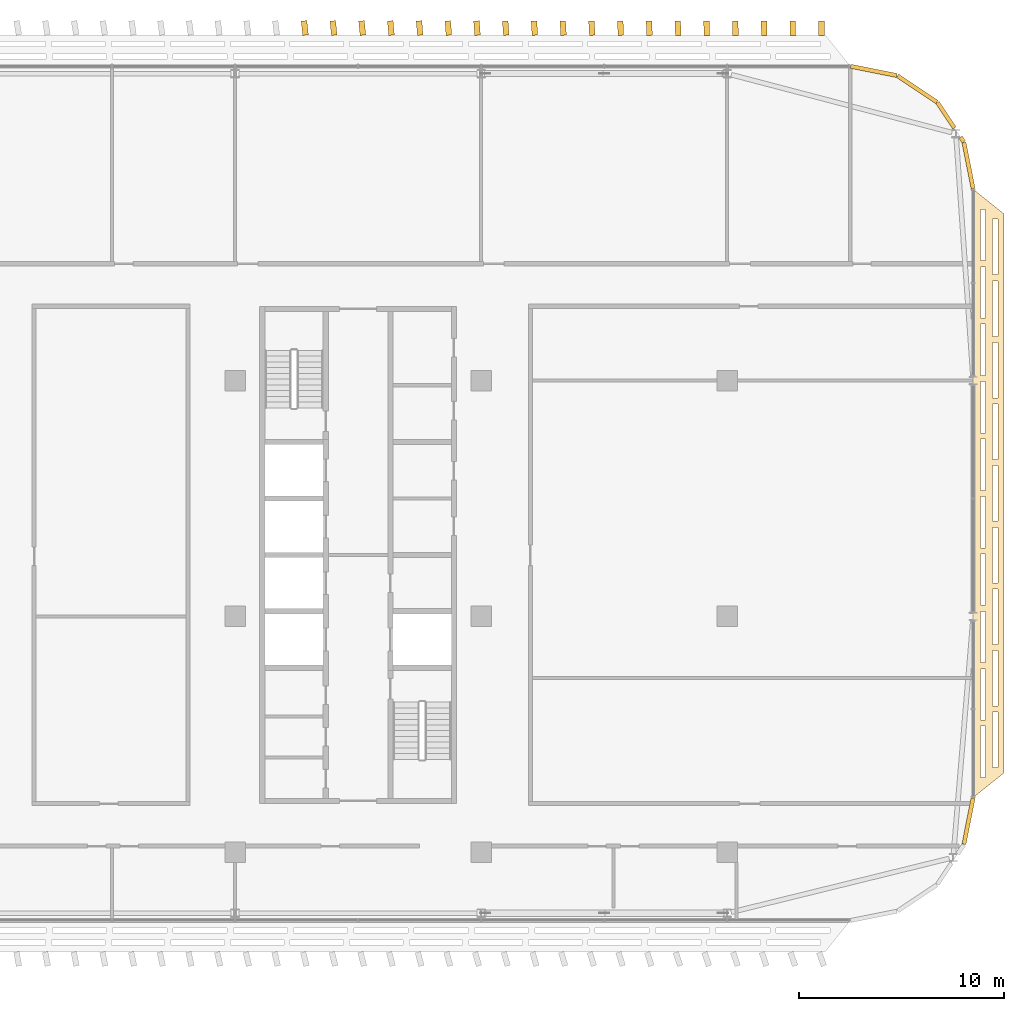
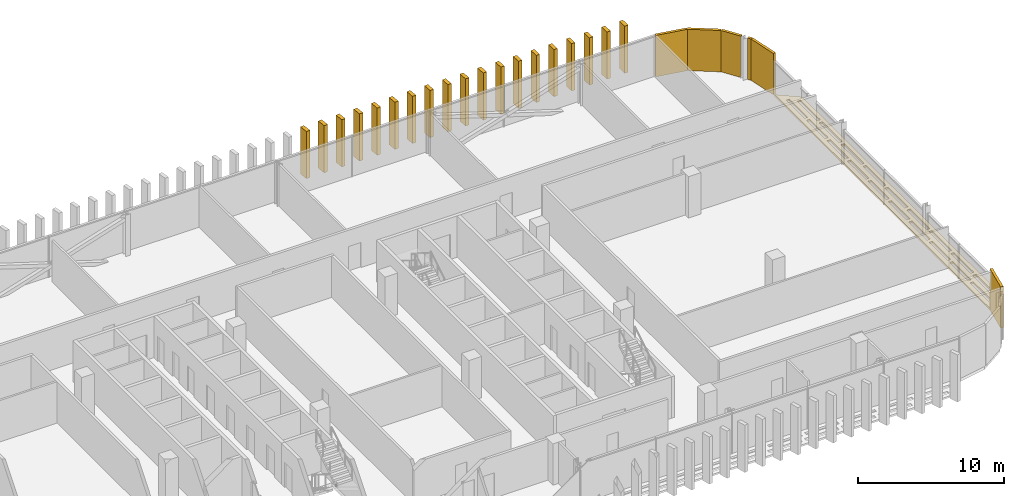
# One storey, part 35 of 35: 26 coverings.
"""IFC4 building model written with IfcOpenShell, lengths in metres."""

from ifc_helpers import new_model, si_unit, direction, frame, origin, origin_2d, place, context, subcontext, project, spatial, polyline, rectangle, outline, extrude, material, layer, layer_set, type_object, element, save


model = new_model("IFC4")

# Units and contexts
model_context = context("Model", 3, precision=1e-05, world=origin(), true_north=direction((0.0, 1.0)))
body_context = subcontext(model_context, "Body", "Model", "MODEL_VIEW")
ifc_project = project(units=[si_unit("LENGTHUNIT", "METRE"), si_unit("AREAUNIT", "SQUARE_METRE"), si_unit("VOLUMEUNIT", "CUBIC_METRE"), si_unit("PLANEANGLEUNIT", "RADIAN"), si_unit("MASSUNIT", "GRAM", prefix="KILO")], contexts=[model_context])

# Site, building, storey
site_placement = place(None, origin())
site = spatial("IfcSite", under=ifc_project, at=site_placement, CompositionType="ELEMENT")
building_placement = place(site_placement, origin())
building = spatial("IfcBuilding", under=site, at=building_placement, Name="Mahtab Terrace Research Tower", CompositionType="ELEMENT")
storey_placement = place(building_placement, frame((0.0, 0.0, 251.39990234375)))
storey = spatial("IfcBuildingStorey", under=building, at=storey_placement, Name="L61", CompositionType="ELEMENT", Elevation=251.39990234375)

# Coverings
ifc_material_1 = material(Name="Black aluminium cladding panel", Category="aluminium")
ifc_layer_1 = layer(ifc_material_1, 0.199951171875)
ifc_layer_set_1 = layer_set([ifc_layer_1], Name="Black metal corner cladding 200")
covering_type_1 = type_object("IfcCoveringType", Name="Black metal corner cladding 200", PredefinedType="CLADDING", material=ifc_layer_set_1)
covering_1_placement = place(storey_placement, frame((53.45849609375, 23.256591796875, 0.0), z_axis=(0.0, 0.0, 1.0), x_axis=(-0.555291490808, 0.831655794326, 0.0)))
element("IfcCovering", 1, at=covering_1_placement, inside=storey, type_object=covering_type_1, Name="Corner cladding L61 0", PredefinedType="CLADDING", context=body_context, shape_type="SweptSolid", body=[
    extrude(rectangle(XDim=0.2841796875, YDim=0.199951171875, at=origin_2d()), origin(), (0.0, 0.0, 1.0), 3.4599609375),
])
covering_2_placement = place(storey_placement, frame((52.668212890625, 24.440185546875, 0.0), z_axis=(0.0, 0.0, 1.0), x_axis=(-0.555291490808, 0.831655794326, 0.0)))
element("IfcCovering", 2, at=covering_2_placement, inside=storey, type_object=covering_type_1, Name="Corner cladding L61 1", PredefinedType="CLADDING", context=body_context, shape_type="SweptSolid", body=[
    extrude(rectangle(XDim=1.491455078125, YDim=0.199951171875, at=origin_2d()), origin(), (0.0, 0.0, 1.0), 3.4599609375),
])
for number, where, z_axis, x_axis, name in (
    (3, (51.26953125, 25.72705078125, 0.0), (0.0, 0.0, 1.0), (-0.831655794326, 0.555291490808, 0.0), "Corner cladding L61 2"),
    (4, (49.14794921875, 26.60546875, 0.0), (0.0, 0.0, 1.0), (-0.980760981187, 0.195212442692, 0.0), "Corner cladding L61 3"),
    (5, (53.771484375, -9.98193359375, 0.0), (0.0, 0.0, 1.0), (0.195212442692, 0.980760981187, 0.0), "Corner cladding L61 22"),
    (6, (53.771484375, 21.98193359375, 0.0), (0.0, 0.0, 1.0), (-0.195212442692, 0.980760981187, 0.0), "Corner cladding L61 26"),
):
    element("IfcCovering", number, at=place(storey_placement, frame(where, z_axis=z_axis, x_axis=x_axis)), inside=storey, type_object=covering_type_1, Name=name, PredefinedType="CLADDING", context=body_context, shape_type="SweptSolid", body=[
        extrude(rectangle(XDim=2.30126953125, YDim=0.199951171875, at=origin_2d()), origin(), (0.0, 0.0, 1.0), 3.4599609375),
    ])
ifc_material_2 = material(Name="Black anodised aluminium", Category="aluminium")
ifc_layer_2 = layer(ifc_material_2, 0.14990234375)
ifc_layer_set_2 = layer_set([ifc_layer_2], Name="Horizontal sunshade band")
covering_type_2 = type_object("IfcCoveringType", Name="Horizontal sunshade band", PredefinedType="CLADDING", material=ifc_layer_set_2)
covering_3_placement = place(storey_placement, frame((0.0, 0.0, -0.14990234375)))
element("IfcCovering", 7, at=covering_3_placement, inside=storey, type_object=covering_type_2, Name="Sunshade band L61 23", PredefinedType="CLADDING", context=body_context, shape_type="SweptSolid", body=[
    extrude(outline(polyline([(54.0, -8.833984375), (54.0, 20.833984375), (55.5, 19.634033203125), (55.5, -7.634033203125), (54.0, -8.833984375)]), holes=[polyline([(54.35009765625, -7.85400390625), (54.35009765625, -5.35302734375), (54.60009765625, -5.35302734375), (54.60009765625, -7.85400390625), (54.35009765625, -7.85400390625)]), polyline([(54.35009765625, -5.052978515625), (54.35009765625, -2.552001953125), (54.60009765625, -2.552001953125), (54.60009765625, -5.052978515625), (54.35009765625, -5.052978515625)]), polyline([(54.35009765625, -2.251953125), (54.35009765625, 0.248046875), (54.60009765625, 0.248046875), (54.60009765625, -2.251953125), (54.35009765625, -2.251953125)]), polyline([(54.35009765625, 0.548095703125), (54.35009765625, 3.049072265625), (54.60009765625, 3.049072265625), (54.60009765625, 0.548095703125), (54.35009765625, 0.548095703125)]), polyline([(54.35009765625, 3.34912109375), (54.35009765625, 5.85009765625), (54.60009765625, 5.85009765625), (54.60009765625, 3.34912109375), (54.35009765625, 3.34912109375)]), polyline([(54.35009765625, 6.14990234375), (54.35009765625, 8.65087890625), (54.60009765625, 8.65087890625), (54.60009765625, 6.14990234375), (54.35009765625, 6.14990234375)]), polyline([(54.35009765625, 8.950927734375), (54.35009765625, 11.451904296875), (54.60009765625, 11.451904296875), (54.60009765625, 8.950927734375), (54.35009765625, 8.950927734375)]), polyline([(54.35009765625, 11.751953125), (54.35009765625, 14.251953125), (54.60009765625, 14.251953125), (54.60009765625, 11.751953125), (54.35009765625, 11.751953125)]), polyline([(54.35009765625, 14.552001953125), (54.35009765625, 17.052978515625), (54.60009765625, 17.052978515625), (54.60009765625, 14.552001953125), (54.35009765625, 14.552001953125)]), polyline([(54.35009765625, 17.35302734375), (54.35009765625, 19.85400390625), (54.60009765625, 19.85400390625), (54.60009765625, 17.35302734375), (54.35009765625, 17.35302734375)]), polyline([(54.949951171875, -7.3740234375), (54.949951171875, -4.6689453125), (55.199951171875, -4.6689453125), (55.199951171875, -7.3740234375), (54.949951171875, -7.3740234375)]), polyline([(54.949951171875, -4.368896484375), (54.949951171875, -1.6630859375), (55.199951171875, -1.6630859375), (55.199951171875, -4.368896484375), (54.949951171875, -4.368896484375)]), polyline([(54.949951171875, -1.363037109375), (54.949951171875, 1.342041015625), (55.199951171875, 1.342041015625), (55.199951171875, -1.363037109375), (54.949951171875, -1.363037109375)]), polyline([(54.949951171875, 1.64208984375), (54.949951171875, 4.346923828125), (55.199951171875, 4.346923828125), (55.199951171875, 1.64208984375), (54.949951171875, 1.64208984375)]), polyline([(54.949951171875, 4.64697265625), (54.949951171875, 7.35302734375), (55.199951171875, 7.35302734375), (55.199951171875, 4.64697265625), (54.949951171875, 4.64697265625)]), polyline([(54.949951171875, 7.653076171875), (54.949951171875, 10.35791015625), (55.199951171875, 10.35791015625), (55.199951171875, 7.653076171875), (54.949951171875, 7.653076171875)]), polyline([(54.949951171875, 10.657958984375), (54.949951171875, 13.363037109375), (55.199951171875, 13.363037109375), (55.199951171875, 10.657958984375), (54.949951171875, 10.657958984375)]), polyline([(54.949951171875, 13.6630859375), (54.949951171875, 16.368896484375), (55.199951171875, 16.368896484375), (55.199951171875, 13.6630859375), (54.949951171875, 13.6630859375)]), polyline([(54.949951171875, 16.6689453125), (54.949951171875, 19.3740234375), (55.199951171875, 19.3740234375), (55.199951171875, 16.6689453125), (54.949951171875, 16.6689453125)])]), origin(), (0.0, 0.0, 1.0), 0.14990234375),
])
ifc_material_3 = material(Name="Bronze anodised aluminium", Category="aluminium")
ifc_layer_3 = layer(ifc_material_3, 0.1201171875)
ifc_layer_set_3 = layer_set([ifc_layer_3], Name="Vertical fin 700")
covering_type_3 = type_object("IfcCoveringType", Name="Vertical fin 700", PredefinedType="CLADDING", material=ifc_layer_set_3)
for number, where, z_axis, x_axis, name in (
    (8, (46.60009765625, 28.684814453125, -0.14990234375), (0.0, 0.0, 1.0), (-0.999983076858, -0.005817731349, 0.0), "Fin L61 N1"),
    (9, (45.199951171875, 28.685546875, -0.14990234375), (0.0, 0.0, 1.0), (-0.999932308004, -0.011635265807, 0.0), "Fin L61 N2"),
    (10, (43.800048828125, 28.686279296875, -0.14990234375), (0.0, 0.0, 1.0), (-0.999847695156, -0.017452406437, 0.0), "Fin L61 N3"),
    (11, (42.39990234375, 28.687255859375, -0.14990234375), (0.0, 0.0, 1.0), (-0.99972924118, -0.023268956368, 0.0), "Fin L61 N4"),
    (12, (41.0, 28.68798828125, -0.14990234375), (0.0, 0.0, 1.0), (-0.999576950082, -0.029084718749, 0.0), "Fin L61 N5"),
    (13, (39.60009765625, 28.688720703125, -0.14990234375), (0.0, 0.0, 1.0), (-0.999390827019, -0.034899496703, 0.0), "Fin L61 N6"),
    (14, (38.199951171875, 28.689453125, -0.14990234375), (0.0, 0.0, 1.0), (-0.99917087829, -0.040713093438, 0.0), "Fin L61 N7"),
    (15, (36.800048828125, 28.690185546875, -0.14990234375), (0.0, 0.0, 1.0), (-0.998917111338, -0.046525312204, 0.0), "Fin L61 N8"),
    (16, (35.39990234375, 28.69091796875, -0.14990234375), (0.0, 0.0, 1.0), (-0.998629534755, -0.052335956243, 0.0), "Fin L61 N9"),
    (17, (34.0, 28.691650390625, -0.14990234375), (0.0, 0.0, 1.0), (-0.998308158272, -0.058144828905, 0.0), "Fin L61 N10"),
    (18, (32.60009765625, 28.692138671875, -0.14990234375), (0.0, 0.0, 1.0), (-0.997952992766, -0.063951733597, 0.0), "Fin L61 N11"),
    (19, (31.199951171875, 28.69287109375, -0.14990234375), (0.0, 0.0, 1.0), (-0.99756405026, -0.069756473744, 0.0), "Fin L61 N12"),
    (20, (29.800048828125, 28.693603515625, -0.14990234375), (0.0, 0.0, 1.0), (-0.997141343917, -0.075558852893, 0.0), "Fin L61 N13"),
    (21, (28.39990234375, 28.6943359375, -0.14990234375), (0.0, 0.0, 1.0), (-0.996684888044, -0.081358674674, 0.0), "Fin L61 N14"),
    (22, (27.0, 28.69482421875, -0.14990234375), (0.0, 0.0, 1.0), (-0.996194698092, -0.087155742748, 0.0), "Fin L61 N15"),
    (23, (25.60009765625, 28.695556640625, -0.14990234375), (0.0, 0.0, 1.0), (-0.99567079065, -0.092949860924, 0.0), "Fin L61 N16"),
    (24, (24.199951171875, 28.696044921875, -0.14990234375), (0.0, 0.0, 1.0), (-0.99511318345, -0.098740833109, 0.0), "Fin L61 N17"),
    (25, (22.800048828125, 28.69677734375, -0.14990234375), (0.0, 0.0, 1.0), (-0.994521895368, -0.104528463268, 0.0), "Fin L61 N18"),
    (26, (21.39990234375, 28.697265625, -0.14990234375), (0.0, 0.0, 1.0), (-0.993896946415, -0.110312555526, 0.0), "Fin L61 N19"),
):
    element("IfcCovering", number, at=place(storey_placement, frame(where, z_axis=z_axis, x_axis=x_axis)), inside=storey, type_object=covering_type_3, Name=name, PredefinedType="CLADDING", context=body_context, shape_type="SweptSolid", body=[
        extrude(rectangle(XDim=0.280029296875, YDim=0.699951171875, at=origin_2d()), origin(), (0.0, 0.0, 1.0), 3.949951171875),
    ])

save(model, "model.ifc")
